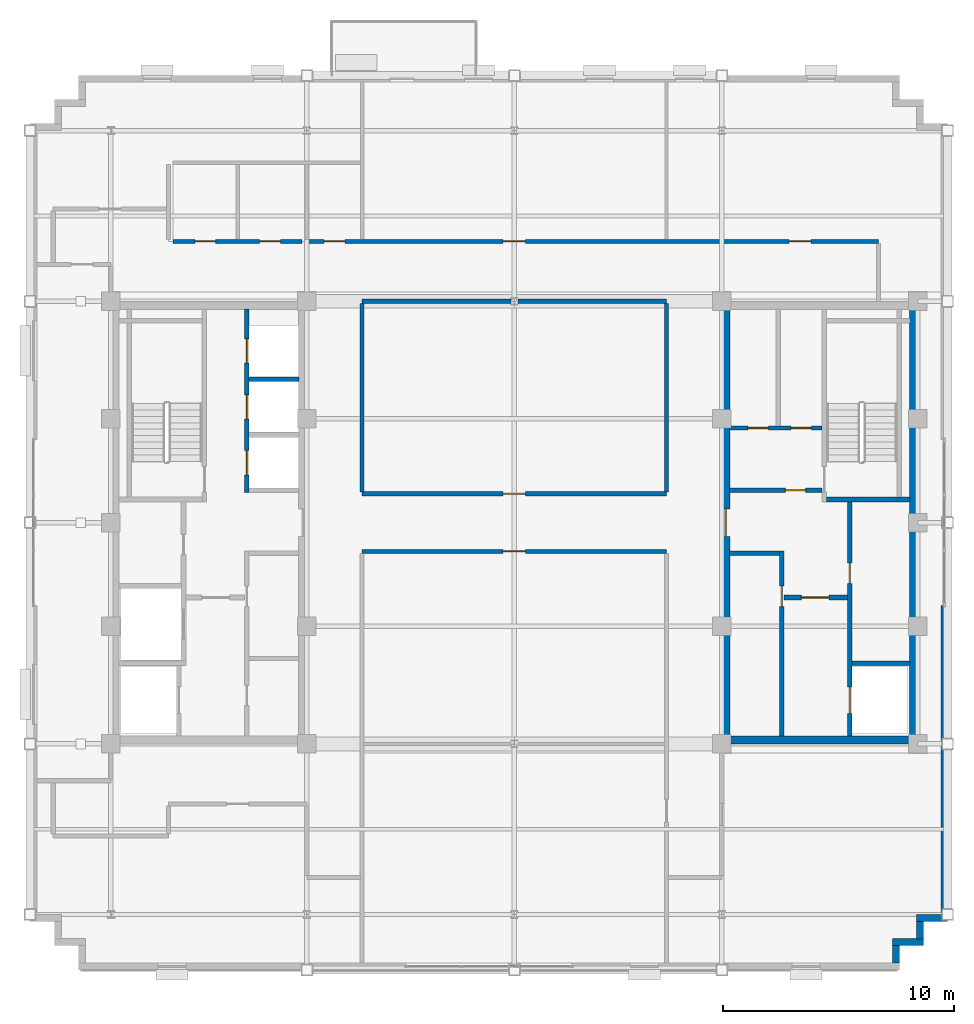
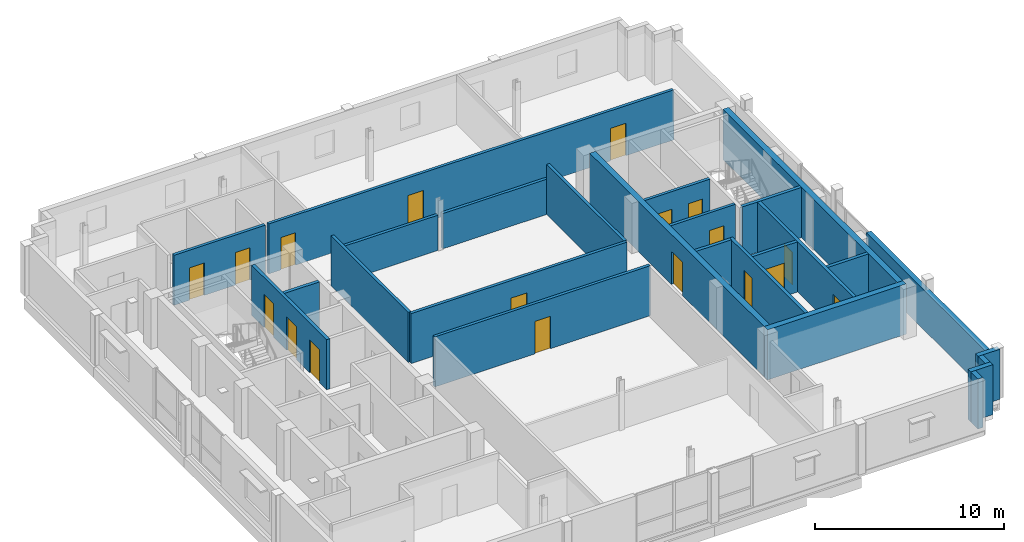
# One storey, part 7 of 15: 26 walls, 18 doors, 18 openings.
"""IFC4 building model written with IfcOpenShell, lengths in metres."""

import ifcopenshell
import ifcopenshell.guid

model = None  # the IFC model being written
_history = None  # IfcOwnerHistory: only IFC2X3 demands one
_inside = {}  # id of a spatial element -> (the spatial element, [elements in it])
_under = {}  # id of a project, library or spatial element -> (it, [spatial elements below it])
_declared = {}  # id of a project -> (the project, [libraries it declares])
_typed = {}  # id of a type object -> (the type object, [elements of that type])
_made_of = {}  # id of a material, layer set ... -> (it, [elements and type objects made of it])


def new_model(schema):
    """Start an empty IFC model of exactly this schema.

    Asked for "IFC4X3", IfcOpenShell would pick the latest addendum, in which some entities
    have other attributes; the version numbers below select the first issue.
    IFC2X3 requires an IfcOwnerHistory on every rooted entity: one is made here for all.
    """
    global model, _history
    if schema == "IFC4X3":
        model = ifcopenshell.file(schema_version=(4, 3, 0, 0))
    else:
        model = ifcopenshell.file(schema=schema)
    _inside.clear()
    _under.clear()
    _declared.clear()
    _typed.clear()
    _made_of.clear()
    _history = None
    if model.schema == "IFC2X3":
        org = make("IfcOrganization", Name="unknown")
        user = make(
            "IfcPersonAndOrganization",
            ThePerson=make("IfcPerson", FamilyName="unknown"),
            TheOrganization=org,
        )
        app = make(
            "IfcApplication",
            ApplicationDeveloper=org,
            Version="unknown",
            ApplicationFullName="unknown",
            ApplicationIdentifier="unknown",
        )
        _history = make(
            "IfcOwnerHistory",
            OwningUser=user,
            OwningApplication=app,
            ChangeAction="ADDED",
            CreationDate=0,
        )
    return model


def make(cls, **values):
    """One entity of the class cls with the attributes given. An attribute that is None is left unset."""
    return model.create_entity(
        cls, **{name: value for name, value in values.items() if value is not None}
    )


def rooted(cls, **values):
    """An entity with a GlobalId (a new one), such as an element, a storey or a relation."""
    return make(cls, GlobalId=ifcopenshell.guid.new(), OwnerHistory=_history, **values)


def si_unit(unit_type, name, prefix=None):
    """IfcSIUnit, for example si_unit("LENGTHUNIT", "METRE", prefix="MILLI")."""
    return make("IfcSIUnit", UnitType=unit_type, Prefix=prefix, Name=name)


def assignment(units):
    """IfcUnitAssignment: the units of a project."""
    return None if units is None else make("IfcUnitAssignment", Units=units)


def point(xyz):
    """IfcCartesianPoint."""
    return None if xyz is None else make("IfcCartesianPoint", Coordinates=xyz)


def direction(xyz):
    """IfcDirection."""
    return None if xyz is None else make("IfcDirection", DirectionRatios=xyz)


def frame(location, z_axis=None, x_axis=None):
    """IfcAxis2Placement3D, a coordinate frame: its origin and axes. An axis left out is left unset."""
    return make(
        "IfcAxis2Placement3D",
        Location=point(location),
        Axis=direction(z_axis),
        RefDirection=direction(x_axis),
    )


def frame_2d(location, x_axis=None):
    """IfcAxis2Placement2D, a coordinate frame in the plane: its origin and x axis."""
    return make(
        "IfcAxis2Placement2D", Location=point(location), RefDirection=direction(x_axis)
    )


def origin():
    """The frame at (0, 0, 0) with its axes left unset."""
    return frame((0.0, 0.0, 0.0))


def place(relative_to, where):
    """IfcLocalPlacement: puts the frame where relative to a parent placement (None: the world)."""
    return make(
        "IfcLocalPlacement", PlacementRelTo=relative_to, RelativePlacement=where
    )


def context(
    kind, dimensions, precision=None, world=None, true_north=None, identifier=None
):
    """IfcGeometricRepresentationContext, for example the 3D "Model" context."""
    return make(
        "IfcGeometricRepresentationContext",
        ContextIdentifier=identifier,
        ContextType=kind,
        CoordinateSpaceDimension=dimensions,
        Precision=precision,
        WorldCoordinateSystem=world,
        TrueNorth=true_north,
    )


def subcontext(parent, identifier, kind, view, scale=None):
    """IfcGeometricRepresentationSubContext, for example "Body" below "Model"."""
    return make(
        "IfcGeometricRepresentationSubContext",
        ContextIdentifier=identifier,
        ContextType=kind,
        ParentContext=parent,
        TargetScale=scale,
        TargetView=view,
    )


def project(units=None, contexts=None):
    """IfcProject with its units and contexts."""
    return rooted(
        "IfcProject",
        Name="project",
        RepresentationContexts=contexts,
        UnitsInContext=assignment(units),
    )


def spatial(cls, under=None, at=None, **own):
    """A site, building, storey or space (cls), placed at a placement, below another one or the project."""
    s = rooted(cls, ObjectPlacement=at, **own)
    if under is not None:
        _under.setdefault(under.id(), (under, []))[1].append(s)
    return s


def profile(cls, at=None, kind="AREA", **sizes):
    """A parametric profile (cls). Its sizes go by their IFC names, for example OverallWidth=200.0."""
    return make(cls, ProfileType=kind, Position=at, **sizes)


def rectangle(**sizes):
    """IfcRectangleProfileDef."""
    return profile("IfcRectangleProfileDef", **sizes)


def extrude(swept, where, along, depth):
    """IfcExtrudedAreaSolid: the profile swept, set in the frame where, extruded along a direction by depth."""
    return make(
        "IfcExtrudedAreaSolid",
        SweptArea=swept,
        Position=where,
        ExtrudedDirection=direction(along),
        Depth=depth,
    )


def shape(context_of_items, identifier, shape_type, items):
    """IfcShapeRepresentation: the items that make up one representation, for example the "Body"."""
    return make(
        "IfcShapeRepresentation",
        ContextOfItems=context_of_items,
        RepresentationIdentifier=identifier,
        RepresentationType=shape_type,
        Items=items,
    )


def source(mapping_origin, context_of_items, identifier, shape_type, items):
    """IfcRepresentationMap: a shape defined once, which mapped items show again and again."""
    return make(
        "IfcRepresentationMap",
        MappingOrigin=mapping_origin,
        MappedRepresentation=shape(context_of_items, identifier, shape_type, items),
    )


def transform(
    local_origin,
    x_axis=None,
    y_axis=None,
    z_axis=None,
    scale=None,
    scale2=None,
    scale3=None,
    uniform=True,
):
    """IfcCartesianTransformationOperator3D, or its non-uniform kind. x_axis, y_axis, z_axis: its Axis1, 2, 3."""
    if uniform:
        return make(
            "IfcCartesianTransformationOperator3D",
            Axis1=direction(x_axis),
            Axis2=direction(y_axis),
            LocalOrigin=point(local_origin),
            Scale=scale,
            Axis3=direction(z_axis),
        )
    return make(
        "IfcCartesianTransformationOperator3DnonUniform",
        Axis1=direction(x_axis),
        Axis2=direction(y_axis),
        LocalOrigin=point(local_origin),
        Scale=scale,
        Axis3=direction(z_axis),
        Scale2=scale2,
        Scale3=scale3,
    )


def mapped(mapping_source, mapping_target):
    """IfcMappedItem: shows the shape of a source again, moved by a transform."""
    return make(
        "IfcMappedItem", MappingSource=mapping_source, MappingTarget=mapping_target
    )


def material(Name=None, Category=None):
    """IfcMaterial."""
    return make("IfcMaterial", Name=Name, Category=Category)


def layer(
    of_material, thickness, ventilated=None, Name=None, Category=None, Priority=None
):
    """IfcMaterialLayer: one layer of a wall or slab, of a material (None: an air gap)."""
    return make(
        "IfcMaterialLayer",
        Material=of_material,
        LayerThickness=thickness,
        IsVentilated=ventilated,
        Name=Name,
        Category=Category,
        Priority=Priority,
    )


def layer_set(layers, Name=None):
    """IfcMaterialLayerSet."""
    return make("IfcMaterialLayerSet", MaterialLayers=layers, LayerSetName=Name)


def made_of(thing, what):
    """Note that an element or type object is made of a material, layer set ...; save() writes the relation."""
    if what is not None:
        _made_of.setdefault(what.id(), (what, []))[1].append(thing)
    return thing


def type_object(cls, material=None, **own):
    """A type object (cls), such as IfcWallType, which elements share."""
    return made_of(rooted(cls, **own), material)


def type_shapes(of_type, sources):
    """Give a type object the sources (RepresentationMaps) that its elements show as mapped items."""
    of_type.RepresentationMaps = sources


def element(
    cls,
    number,
    at=None,
    inside=None,
    cuts=None,
    type_object=None,
    material=None,
    context=None,
    identifier="Body",
    shape_type=None,
    held_by="IfcProductDefinitionShape",
    body=None,
    shapes=None,
    **own,
):
    """One element of the class cls, such as IfcWall. Its Tag is "e" and its number.

    at: its placement. inside: the storey or other place that contains it. cuts: it is an
    opening in that element (IfcRelVoidsElement). A single representation is given by context,
    identifier, shape_type and body (its items); several are given by shapes. held_by: the class
    of the entity that holds the representations. save() writes the other relations.
    """
    e = rooted(cls, Tag="e%d" % number, ObjectPlacement=at, **own)
    if body is not None:
        shapes = [shape(context, identifier, shape_type, body)]
    if shapes is not None:
        e.Representation = make(held_by, Representations=shapes)
    if inside is not None:
        _inside.setdefault(inside.id(), (inside, []))[1].append(e)
    if cuts is not None:
        rooted(
            "IfcRelVoidsElement", RelatingBuildingElement=cuts, RelatedOpeningElement=e
        )
    if type_object is not None:
        _typed.setdefault(type_object.id(), (type_object, []))[1].append(e)
    return made_of(e, material)


def fill(opening, filler):
    """IfcRelFillsElement: the door or window that sits in an opening."""
    return rooted(
        "IfcRelFillsElement",
        RelatingOpeningElement=opening,
        RelatedBuildingElement=filler,
    )


def aggregate(whole, parts):
    """IfcRelAggregates: a whole, such as a stair, and the parts it consists of."""
    return rooted("IfcRelAggregates", RelatingObject=whole, RelatedObjects=parts)


def save(model, path):
    """Write the relations noted so far, then the file.

    IfcRelAggregates (storeys below a building ...), IfcRelContainedInSpatialStructure (elements
    in a storey), IfcRelDefinesByType, IfcRelAssociatesMaterial and IfcRelDeclares: one each for
    every whole, place, type object, material and project.
    """
    for whole, parts in _under.values():
        aggregate(whole, parts)
    for where, things in _inside.values():
        rooted(
            "IfcRelContainedInSpatialStructure",
            RelatedElements=things,
            RelatingStructure=where,
        )
    for kind, things in _typed.values():
        rooted("IfcRelDefinesByType", RelatedObjects=things, RelatingType=kind)
    for what, things in _made_of.values():
        rooted("IfcRelAssociatesMaterial", RelatedObjects=things, RelatingMaterial=what)
    for by, libraries in _declared.values():
        rooted("IfcRelDeclares", RelatingContext=by, RelatedDefinitions=libraries)
    model.write(path)


model = new_model("IFC4")

# Units and contexts
model_context = context("Model", 3, precision=1e-05, world=origin(), true_north=direction((0.0, 1.0)))
body_context = subcontext(model_context, "Body", "Model", "MODEL_VIEW")
ifc_project = project(units=[si_unit("LENGTHUNIT", "METRE"), si_unit("AREAUNIT", "SQUARE_METRE"), si_unit("VOLUMEUNIT", "CUBIC_METRE"), si_unit("PLANEANGLEUNIT", "RADIAN"), si_unit("MASSUNIT", "GRAM", prefix="KILO")], contexts=[model_context])

# Site, building, storey
site_placement = place(None, origin())
site = spatial("IfcSite", under=ifc_project, at=site_placement, CompositionType="ELEMENT")
building_placement = place(site_placement, origin())
building = spatial("IfcBuilding", under=site, at=building_placement, Name="Nuvemarco Arch Tower", CompositionType="ELEMENT")
storey_placement = place(building_placement, frame((0.0, 0.0, 283.5)))
storey = spatial("IfcBuildingStorey", under=building, at=storey_placement, Name="L75", CompositionType="ELEMENT", Elevation=283.5)

# Walls
ifc_material_1 = material(Name="Precast concrete C45/55", Category="concrete")
ifc_layer_1 = layer(ifc_material_1, 0.300048828125, Name="EW-HIGH-300")
ifc_layer_set_1 = layer_set([ifc_layer_1], Name="Precast concrete C45/55")
wall_type_1 = type_object("IfcWallType", Name="EW-HIGH-300", PredefinedType="STANDARD", material=ifc_layer_set_1)
wall_1_placement = place(storey_placement, frame((16.550048828125, -19.10400390625, 0.0), z_axis=(0.0, 0.0, 1.0), x_axis=(0.0, 1.0, 0.0)))
element("IfcWall", 1, at=wall_1_placement, inside=storey, type_object=wall_type_1, Name="L75 exterior precast facade wall 2", PredefinedType="STANDARD", context=body_context, shape_type="SweptSolid", body=[
    extrude(rectangle(XDim=0.758056640625, YDim=0.300048828125, at=frame_2d((0.37890625, 0.0))), origin(), (0.0, 0.0, 1.0), 3.239990234375),
])
wall_2_placement = place(storey_placement, frame((16.39990234375, -18.199951171875, 0.0), z_axis=(0.0, 0.0, 1.0), x_axis=(1.0, 0.0, 0.0)))
element("IfcWall", 2, at=wall_2_placement, inside=storey, type_object=wall_type_1, Name="L75 exterior precast facade wall 3", PredefinedType="STANDARD", context=body_context, shape_type="SweptSolid", body=[
    extrude(rectangle(XDim=1.35009765625, YDim=0.300048828125, at=frame_2d((0.675048828125, 0.0))), origin(), (0.0, 0.0, 1.0), 3.239990234375),
])
wall_3_placement = place(storey_placement, frame((17.60009765625, -18.053955078125, 0.0), z_axis=(0.0, 0.0, 1.0), x_axis=(0.0, 1.0, 0.0)))
element("IfcWall", 3, at=wall_3_placement, inside=storey, type_object=wall_type_1, Name="L75 exterior precast facade wall 4", PredefinedType="STANDARD", context=body_context, shape_type="SweptSolid", body=[
    extrude(rectangle(XDim=0.758056640625, YDim=0.300048828125, at=frame_2d((0.37890625, 0.0))), origin(), (0.0, 0.0, 1.0), 3.239990234375),
])
wall_4_placement = place(storey_placement, frame((17.449951171875, -17.14990234375, 0.0), z_axis=(0.0, 0.0, 1.0), x_axis=(1.0, 0.0, 0.0)))
element("IfcWall", 4, at=wall_4_placement, inside=storey, type_object=wall_type_1, Name="L75 exterior precast facade wall 5", PredefinedType="STANDARD", context=body_context, shape_type="SweptSolid", body=[
    extrude(rectangle(XDim=1.35009765625, YDim=0.300048828125, at=frame_2d((0.675048828125, 0.0))), origin(), (0.0, 0.0, 1.0), 3.239990234375),
])
wall_5_placement = place(storey_placement, frame((18.64990234375, -17.00390625, 0.0), z_axis=(0.0, 0.0, 1.0), x_axis=(0.0, 1.0, 0.0)))
element("IfcWall", 5, at=wall_5_placement, inside=storey, type_object=wall_type_1, Name="L75 exterior precast pier wall east left", PredefinedType="STANDARD", context=body_context, shape_type="SweptSolid", body=[
    extrude(rectangle(XDim=13.40380859375, YDim=0.300048828125, at=frame_2d((6.701904296875, 0.0))), origin(), (0.0, 0.0, 1.0), 2.5849609375),
])
ifc_material_2 = material(Name="Concrete C50/60", Category="concrete")
ifc_layer_2 = layer(ifc_material_2, 0.35009765625, Name="WL-CORE-350")
ifc_layer_set_2 = layer_set([ifc_layer_2], Name="Concrete C50/60")
wall_type_2 = type_object("IfcWallType", Name="WL-CORE-350", PredefinedType="SHEAR", material=ifc_layer_set_2)
wall_6_placement = place(storey_placement, frame((9.0, -9.425048828125, 0.0), z_axis=(0.0, 0.0, 1.0), x_axis=(1.0, 0.0, 0.0)))
element("IfcWall", 6, at=wall_6_placement, inside=storey, type_object=wall_type_2, Name="L75 E-core shear wall S", PredefinedType="SHEAR", context=body_context, shape_type="SweptSolid", body=[
    extrude(rectangle(XDim=8.5, YDim=0.35009765625, at=frame_2d((4.25, 0.0))), origin(), (0.0, 0.0, 1.0), 3.25),
])

# Wall, opening, door
wall_7_placement = place(storey_placement, frame((9.175048828125, -9.2548828125, 0.0), z_axis=(0.0, 0.0, 1.0), x_axis=(0.0, 1.0, 0.0)))
wall_7 = element("IfcWall", 7, at=wall_7_placement, inside=storey, type_object=wall_type_2, Name="L75 E-core shear wall W", PredefinedType="SHEAR", context=body_context, shape_type="SweptSolid", body=[
    extrude(rectangle(XDim=18.509765625, YDim=0.35009765625, at=frame_2d((9.2548828125, 0.0))), origin(), (0.0, 0.0, 1.0), 3.25),
])
opening_1_placement = place(wall_7_placement, frame((8.655029296875, 0.0, 0.0)))
opening_1 = element("IfcOpeningElement", 8, at=opening_1_placement, cuts=wall_7, Name="Opening FD-2", PredefinedType="OPENING", context=body_context, shape_type="SweptSolid", body=[
    extrude(rectangle(XDim=1.199951171875, YDim=2.14990234375, at=frame_2d((0.60009765625, 1.074951171875))), frame((0.0, 0.18505859375, 0.0), z_axis=(0.0, -1.0, 0.0), x_axis=(1.0, 0.0, 0.0)), (0.0, 0.0, 1.0), 0.3701171875),
])
ifc_material_3 = material(Name="Anodised steel fire door", Category="steel")
door_type_1 = type_object("IfcDoorType", Name="DR-FFLOB-FD", OperationType="NOTDEFINED", PredefinedType="DOOR", material=ifc_material_3)
shared_shape_1 = source(origin(), body_context, "Body", "SweptSolid", [
    extrude(rectangle(XDim=1.199951171875, YDim=2.14990234375, at=frame_2d((0.60009765625, 1.074951171875))), frame((0.0, 0.02490234375, 0.0), z_axis=(0.0, -1.0, 0.0), x_axis=(1.0, 0.0, 0.0)), (0.0, 0.0, 1.0), 0.050048828125),
])
type_shapes(door_type_1, [shared_shape_1])
door_1_placement = place(opening_1_placement, origin())
door_1 = element("IfcDoor", 9, at=door_1_placement, inside=storey, type_object=door_type_1, Name="L75 door FD-L75-ECORE-W", OperationType="SINGLE_SWING_LEFT", OverallHeight=2.14990234375, OverallWidth=1.199951171875, PredefinedType="DOOR", context=body_context, shape_type="MappedRepresentation", body=[
    mapped(shared_shape_1, transform((0.0, 0.0, 0.0), scale=1.0)),
])
fill(opening_1, door_1)

# Wall
wall_8_placement = place(storey_placement, frame((17.324951171875, -9.2548828125, 0.0), z_axis=(0.0, 0.0, 1.0), x_axis=(0.0, 1.0, 0.0)))
element("IfcWall", 10, at=wall_8_placement, inside=storey, type_object=wall_type_2, Name="L75 E-core shear wall E", PredefinedType="SHEAR", context=body_context, shape_type="SweptSolid", body=[
    extrude(rectangle(XDim=18.509765625, YDim=0.35009765625, at=frame_2d((9.2548828125, 0.0))), origin(), (0.0, 0.0, 1.0), 3.25),
])

# Wall, opening, door
ifc_material_4 = material(Name="Fire-rated gypsum drywall partition")
ifc_layer_3 = layer(ifc_material_4, 0.179931640625, Name="WL-CORR-180")
ifc_layer_set_3 = layer_set([ifc_layer_3], Name="Fire-rated gypsum drywall partition")
wall_type_3 = type_object("IfcWallType", Name="WL-CORR-180", PredefinedType="PARTITIONING", material=ifc_layer_set_3)
wall_9_placement = place(storey_placement, frame((9.344970703125, 1.39990234375, 0.0), z_axis=(0.0, 0.0, 1.0), x_axis=(1.0, 0.0, 0.0)))
wall_9 = element("IfcWall", 11, at=wall_9_placement, inside=storey, type_object=wall_type_3, Name="L75 interior wall IW-L75-EK-S", PredefinedType="PARTITIONING", context=body_context, shape_type="SweptSolid", body=[
    extrude(rectangle(XDim=4.0, YDim=0.179931640625, at=frame_2d((2.0, 0.0))), origin(), (0.0, 0.0, 1.0), 3.239990234375),
])
opening_2_placement = place(wall_9_placement, frame((2.4150390625, 0.0, 0.0)))
opening_2 = element("IfcOpeningElement", 12, at=opening_2_placement, cuts=wall_9, Name="Opening FD-4", PredefinedType="OPENING", context=body_context, shape_type="SweptSolid", body=[
    extrude(rectangle(XDim=0.8798828125, YDim=2.10009765625, at=frame_2d((0.43994140625, 1.050048828125))), frame((0.0, 0.099853515625, 0.0), z_axis=(0.0, -1.0, 0.0), x_axis=(1.0, 0.0, 0.0)), (0.0, 0.0, 1.0), 0.199951171875),
])
door_type_2 = type_object("IfcDoorType", Name="DR-RISER-FD", OperationType="NOTDEFINED", PredefinedType="DOOR", material=ifc_material_3)
shared_shape_2 = source(origin(), body_context, "Body", "SweptSolid", [
    extrude(rectangle(XDim=0.8798828125, YDim=2.10009765625, at=frame_2d((0.43994140625, 1.050048828125))), frame((0.0, 0.02490234375, 0.0), z_axis=(0.0, -1.0, 0.0), x_axis=(1.0, 0.0, 0.0)), (0.0, 0.0, 1.0), 0.050048828125),
])
type_shapes(door_type_2, [shared_shape_2])
door_2_placement = place(opening_2_placement, origin())
door_2 = element("IfcDoor", 13, at=door_2_placement, inside=storey, type_object=door_type_2, Name="L75 door FD-L75-EK3A", OperationType="SINGLE_SWING_RIGHT", OverallHeight=2.10009765625, OverallWidth=0.8798828125, PredefinedType="DOOR", context=body_context, shape_type="MappedRepresentation", body=[
    mapped(shared_shape_2, transform((0.0, 0.0, 0.0), scale=1.0)),
])
fill(opening_2, door_2)

# Wall, openings, doors
wall_10_placement = place(storey_placement, frame((9.344970703125, 4.10009765625, 0.0), z_axis=(0.0, 0.0, 1.0), x_axis=(1.0, 0.0, 0.0)))
wall_10 = element("IfcWall", 14, at=wall_10_placement, inside=storey, type_object=wall_type_3, Name="L75 interior wall IW-L75-EK3H", PredefinedType="PARTITIONING", context=body_context, shape_type="SweptSolid", body=[
    extrude(rectangle(XDim=4.0, YDim=0.179931640625, at=frame_2d((2.0, 0.0))), origin(), (0.0, 0.0, 1.0), 3.239990234375),
])
opening_3_placement = place(wall_10_placement, frame((0.800048828125, 0.0, 0.0)))
opening_3 = element("IfcOpeningElement", 15, at=opening_3_placement, cuts=wall_10, Name="Opening FD-4", PredefinedType="OPENING", context=body_context, shape_type="SweptSolid", body=[
    extrude(rectangle(XDim=0.8798828125, YDim=2.10009765625, at=frame_2d((0.43994140625, 1.050048828125))), frame((0.0, 0.099853515625, 0.0), z_axis=(0.0, -1.0, 0.0), x_axis=(1.0, 0.0, 0.0)), (0.0, 0.0, 1.0), 0.199951171875),
])
opening_4_placement = place(wall_10_placement, frame((2.6650390625, 0.0, 0.0)))
opening_4 = element("IfcOpeningElement", 16, at=opening_4_placement, cuts=wall_10, Name="Opening FD-4", PredefinedType="OPENING", context=body_context, shape_type="SweptSolid", body=[
    extrude(rectangle(XDim=0.8798828125, YDim=2.10009765625, at=frame_2d((0.43994140625, 1.050048828125))), frame((0.0, 0.099853515625, 0.0), z_axis=(0.0, -1.0, 0.0), x_axis=(1.0, 0.0, 0.0)), (0.0, 0.0, 1.0), 0.199951171875),
])
door_3_placement = place(opening_3_placement, origin())
door_3 = element("IfcDoor", 17, at=door_3_placement, inside=storey, type_object=door_type_2, Name="L75 door FD-L75-EK3B", OperationType="SINGLE_SWING_LEFT", OverallHeight=2.10009765625, OverallWidth=0.8798828125, PredefinedType="DOOR", context=body_context, shape_type="MappedRepresentation", body=[
    mapped(shared_shape_2, transform((0.0, 0.0, 0.0), scale=1.0)),
])
fill(opening_3, door_3)
door_4_placement = place(opening_4_placement, origin())
door_4 = element("IfcDoor", 18, at=door_4_placement, inside=storey, type_object=door_type_2, Name="L75 door FD-L75-EK3C", OperationType="SINGLE_SWING_RIGHT", OverallHeight=2.10009765625, OverallWidth=0.8798828125, PredefinedType="DOOR", context=body_context, shape_type="MappedRepresentation", body=[
    mapped(shared_shape_2, transform((0.0, 0.0, 0.0), scale=1.0)),
])
fill(opening_4, door_4)

# Wall, opening, door
wall_11_placement = place(storey_placement, frame((-6.60009765625, -1.25, 0.0), z_axis=(0.0, 0.0, 1.0), x_axis=(1.0, 0.0, 0.0)))
wall_11 = element("IfcWall", 19, at=wall_11_placement, inside=storey, type_object=wall_type_3, Name="L75 interior wall IW-L75-008", PredefinedType="PARTITIONING", context=body_context, shape_type="SweptSolid", body=[
    extrude(rectangle(XDim=13.2001953125, YDim=0.179931640625, at=frame_2d((6.60009765625, 0.0))), origin(), (0.0, 0.0, 1.0), 3.239990234375),
])
opening_5_placement = place(wall_11_placement, frame((6.1201171875, 0.0, 0.0)))
opening_5 = element("IfcOpeningElement", 20, at=opening_5_placement, cuts=wall_11, Name="Opening FD-5", PredefinedType="OPENING", context=body_context, shape_type="SweptSolid", body=[
    extrude(rectangle(XDim=0.9599609375, YDim=2.10009765625, at=frame_2d((0.47998046875, 1.050048828125))), frame((0.0, 0.099853515625, 0.0), z_axis=(0.0, -1.0, 0.0), x_axis=(1.0, 0.0, 0.0)), (0.0, 0.0, 1.0), 0.199951171875),
])
ifc_material_5 = material(Name="Timber fire door", Category="wood")
door_type_3 = type_object("IfcDoorType", Name="DR-CORR-FD", OperationType="NOTDEFINED", PredefinedType="DOOR", material=ifc_material_5)
shared_shape_3 = source(origin(), body_context, "Body", "SweptSolid", [
    extrude(rectangle(XDim=0.9599609375, YDim=2.10009765625, at=frame_2d((0.47998046875, 1.050048828125))), frame((0.0, 0.02490234375, 0.0), z_axis=(0.0, -1.0, 0.0), x_axis=(1.0, 0.0, 0.0)), (0.0, 0.0, 1.0), 0.050048828125),
])
type_shapes(door_type_3, [shared_shape_3])
door_5_placement = place(opening_5_placement, origin())
door_5 = element("IfcDoor", 21, at=door_5_placement, inside=storey, type_object=door_type_3, Name="L75 door DR-L75-OBS_OFF", OperationType="SINGLE_SWING_LEFT", OverallHeight=2.10009765625, OverallWidth=0.9599609375, PredefinedType="DOOR", context=body_context, shape_type="MappedRepresentation", body=[
    mapped(shared_shape_3, transform((0.0, 0.0, 0.0), scale=1.0)),
])
fill(opening_5, door_5)

wall_12_placement = place(storey_placement, frame((-6.60009765625, 1.25, 0.0), z_axis=(0.0, 0.0, 1.0), x_axis=(1.0, 0.0, 0.0)))
wall_12 = element("IfcWall", 22, at=wall_12_placement, inside=storey, type_object=wall_type_3, Name="L75 interior wall IW-L75-009", PredefinedType="PARTITIONING", context=body_context, shape_type="SweptSolid", body=[
    extrude(rectangle(XDim=13.2001953125, YDim=0.179931640625, at=frame_2d((6.60009765625, 0.0))), origin(), (0.0, 0.0, 1.0), 3.239990234375),
])
opening_6_placement = place(wall_12_placement, frame((6.1201171875, 0.0, 0.0)))
opening_6 = element("IfcOpeningElement", 23, at=opening_6_placement, cuts=wall_12, Name="Opening FD-5", PredefinedType="OPENING", context=body_context, shape_type="SweptSolid", body=[
    extrude(rectangle(XDim=0.9599609375, YDim=2.10009765625, at=frame_2d((0.47998046875, 1.050048828125))), frame((0.0, 0.099853515625, 0.0), z_axis=(0.0, -1.0, 0.0), x_axis=(1.0, 0.0, 0.0)), (0.0, 0.0, 1.0), 0.199951171875),
])
door_6_placement = place(opening_6_placement, origin())
door_6 = element("IfcDoor", 24, at=door_6_placement, inside=storey, type_object=door_type_3, Name="L75 door DR-L75-OBS_PANTRY", OperationType="SINGLE_SWING_RIGHT", OverallHeight=2.10009765625, OverallWidth=0.9599609375, PredefinedType="DOOR", context=body_context, shape_type="MappedRepresentation", body=[
    mapped(shared_shape_3, transform((0.0, 0.0, 0.0), scale=1.0)),
])
fill(opening_6, door_6)

# Walls
for number, where, z_axis, x_axis, name in (
    (25, (-6.60009765625, 9.60009765625, 0.0), (0.0, 0.0, 1.0), (1.0, 0.0, 0.0), "L75 interior wall IW-L75-010"),
    (26, (0.15087890625, 9.60009765625, 0.0), (0.0, 0.0, 1.0), (1.0, 0.0, 0.0), "L75 interior wall IW-L75-011"),
):
    element("IfcWall", number, at=place(storey_placement, frame(where, z_axis=z_axis, x_axis=x_axis)), inside=storey, type_object=wall_type_3, Name=name, PredefinedType="PARTITIONING", context=body_context, shape_type="SweptSolid", body=[
        extrude(rectangle(XDim=6.44921875, YDim=0.179931640625, at=frame_2d((3.224609375, 0.0))), origin(), (0.0, 0.0, 1.0), 2.284912109375),
    ])

# Wall, openings, doors
wall_13_placement = place(storey_placement, frame((-14.800048828125, 12.199951171875, 0.0), z_axis=(0.0, 0.0, 1.0), x_axis=(1.0, 0.0, 0.0)))
wall_13 = element("IfcWall", 27, at=wall_13_placement, inside=storey, type_object=wall_type_3, Name="L75 interior wall IW-L75-013", PredefinedType="PARTITIONING", context=body_context, shape_type="SweptSolid", body=[
    extrude(rectangle(XDim=5.60009765625, YDim=0.179931640625, at=frame_2d((2.800048828125, 0.0))), origin(), (0.0, 0.0, 1.0), 3.239990234375),
])
opening_7_placement = place(wall_13_placement, frame((0.949951171875, 0.0, 0.0)))
opening_7 = element("IfcOpeningElement", 28, at=opening_7_placement, cuts=wall_13, Name="Opening ID-3", PredefinedType="OPENING", context=body_context, shape_type="SweptSolid", body=[
    extrude(rectangle(XDim=0.89990234375, YDim=2.10009765625, at=frame_2d((0.449951171875, 1.050048828125))), frame((0.0, 0.099853515625, 0.0), z_axis=(0.0, -1.0, 0.0), x_axis=(1.0, 0.0, 0.0)), (0.0, 0.0, 1.0), 0.199951171875),
])
opening_8_placement = place(wall_13_placement, frame((3.75, 0.0, 0.0)))
opening_8 = element("IfcOpeningElement", 29, at=opening_8_placement, cuts=wall_13, Name="Opening ID-3", PredefinedType="OPENING", context=body_context, shape_type="SweptSolid", body=[
    extrude(rectangle(XDim=0.89990234375, YDim=2.10009765625, at=frame_2d((0.449951171875, 1.050048828125))), frame((0.0, 0.099853515625, 0.0), z_axis=(0.0, -1.0, 0.0), x_axis=(1.0, 0.0, 0.0)), (0.0, 0.0, 1.0), 0.199951171875),
])
ifc_material_6 = material(Name="Veneered oak timber fire door", Category="wood")
door_type_4 = type_object("IfcDoorType", Name="DR-WC-ACC", OperationType="NOTDEFINED", PredefinedType="DOOR", material=ifc_material_6)
shared_shape_4 = source(origin(), body_context, "Body", "SweptSolid", [
    extrude(rectangle(XDim=0.89990234375, YDim=2.10009765625, at=frame_2d((0.449951171875, 1.050048828125))), frame((0.0, 0.02490234375, 0.0), z_axis=(0.0, -1.0, 0.0), x_axis=(1.0, 0.0, 0.0)), (0.0, 0.0, 1.0), 0.050048828125),
])
type_shapes(door_type_4, [shared_shape_4])
door_7_placement = place(opening_7_placement, origin())
door_7 = element("IfcDoor", 30, at=door_7_placement, inside=storey, type_object=door_type_4, Name="L75 door DR-L75-WC_M", OperationType="SINGLE_SWING_LEFT", OverallHeight=2.10009765625, OverallWidth=0.89990234375, PredefinedType="DOOR", context=body_context, shape_type="MappedRepresentation", body=[
    mapped(shared_shape_4, transform((0.0, 0.0, 0.0), scale=1.0)),
])
fill(opening_7, door_7)
door_8_placement = place(opening_8_placement, origin())
door_8 = element("IfcDoor", 31, at=door_8_placement, inside=storey, type_object=door_type_4, Name="L75 door DR-L75-WC_F", OperationType="SINGLE_SWING_RIGHT", OverallHeight=2.10009765625, OverallWidth=0.89990234375, PredefinedType="DOOR", context=body_context, shape_type="MappedRepresentation", body=[
    mapped(shared_shape_4, transform((0.0, 0.0, 0.0), scale=1.0)),
])
fill(opening_8, door_8)

wall_14_placement = place(storey_placement, frame((-9.0, 12.199951171875, 0.0), z_axis=(0.0, 0.0, 1.0), x_axis=(1.0, 0.0, 0.0)))
wall_14 = element("IfcWall", 32, at=wall_14_placement, inside=storey, type_object=wall_type_3, Name="L75 interior wall IW-L75-014", PredefinedType="PARTITIONING", context=body_context, shape_type="SweptSolid", body=[
    extrude(rectangle(XDim=24.800048828125, YDim=0.179931640625, at=frame_2d((12.39990234375, 0.0))), origin(), (0.0, 0.0, 1.0), 3.239990234375),
])
opening_9_placement = place(wall_14_placement, frame((8.52001953125, 0.0, 0.0)))
opening_9 = element("IfcOpeningElement", 33, at=opening_9_placement, cuts=wall_14, Name="Opening FD-5", PredefinedType="OPENING", context=body_context, shape_type="SweptSolid", body=[
    extrude(rectangle(XDim=0.9599609375, YDim=2.10009765625, at=frame_2d((0.47998046875, 1.050048828125))), frame((0.0, 0.099853515625, 0.0), z_axis=(0.0, -1.0, 0.0), x_axis=(1.0, 0.0, 0.0)), (0.0, 0.0, 1.0), 0.199951171875),
])
opening_10_placement = place(wall_14_placement, frame((20.919921875, 0.0, 0.0)))
opening_10 = element("IfcOpeningElement", 34, at=opening_10_placement, cuts=wall_14, Name="Opening FD-5", PredefinedType="OPENING", context=body_context, shape_type="SweptSolid", body=[
    extrude(rectangle(XDim=0.9599609375, YDim=2.10009765625, at=frame_2d((0.47998046875, 1.050048828125))), frame((0.0, 0.099853515625, 0.0), z_axis=(0.0, -1.0, 0.0), x_axis=(1.0, 0.0, 0.0)), (0.0, 0.0, 1.0), 0.199951171875),
])
opening_11_placement = place(wall_14_placement, frame((0.75, 0.0, 0.0)))
opening_11 = element("IfcOpeningElement", 35, at=opening_11_placement, cuts=wall_14, Name="Opening ID-3", PredefinedType="OPENING", context=body_context, shape_type="SweptSolid", body=[
    extrude(rectangle(XDim=0.89990234375, YDim=2.10009765625, at=frame_2d((0.449951171875, 1.050048828125))), frame((0.0, 0.099853515625, 0.0), z_axis=(0.0, -1.0, 0.0), x_axis=(1.0, 0.0, 0.0)), (0.0, 0.0, 1.0), 0.199951171875),
])
door_9_placement = place(opening_9_placement, origin())
door_9 = element("IfcDoor", 36, at=door_9_placement, inside=storey, type_object=door_type_3, Name="L75 door DR-L75-OBS_NC", OperationType="SINGLE_SWING_LEFT", OverallHeight=2.10009765625, OverallWidth=0.9599609375, PredefinedType="DOOR", context=body_context, shape_type="MappedRepresentation", body=[
    mapped(shared_shape_3, transform((0.0, 0.0, 0.0), scale=1.0)),
])
fill(opening_9, door_9)
door_10_placement = place(opening_10_placement, origin())
door_10 = element("IfcDoor", 37, at=door_10_placement, inside=storey, type_object=door_type_3, Name="L75 door DR-L75-OBS_NE", OperationType="SINGLE_SWING_RIGHT", OverallHeight=2.10009765625, OverallWidth=0.9599609375, PredefinedType="DOOR", context=body_context, shape_type="MappedRepresentation", body=[
    mapped(shared_shape_3, transform((0.0, 0.0, 0.0), scale=1.0)),
])
fill(opening_10, door_10)
door_11_placement = place(opening_11_placement, origin())
door_11 = element("IfcDoor", 38, at=door_11_placement, inside=storey, type_object=door_type_4, Name="L75 door DR-L75-WC_ACC", OperationType="SINGLE_SWING_RIGHT", OverallHeight=2.10009765625, OverallWidth=0.89990234375, PredefinedType="DOOR", context=body_context, shape_type="MappedRepresentation", body=[
    mapped(shared_shape_4, transform((0.0, 0.0, 0.0), scale=1.0)),
])
fill(opening_11, door_11)

# Walls
for number, where, z_axis, x_axis, name in (
    (39, (-6.60009765625, 1.3359375, 0.0), (0.0, 0.0, 1.0), (0.0, 1.0, 0.0), "L75 interior wall IW-L75-027"),
    (40, (6.60009765625, 1.3359375, 0.0), (0.0, 0.0, 1.0), (0.0, 1.0, 0.0), "L75 interior wall IW-L75-030"),
):
    element("IfcWall", number, at=place(storey_placement, frame(where, z_axis=z_axis, x_axis=x_axis)), inside=storey, type_object=wall_type_3, Name=name, PredefinedType="PARTITIONING", context=body_context, shape_type="SweptSolid", body=[
        extrude(rectangle(XDim=8.177978515625, YDim=0.179931640625, at=frame_2d((4.0888671875, 0.0))), origin(), (0.0, 0.0, 1.0), 3.239990234375),
    ])

# Wall, openings, doors
ifc_layer_4 = layer(ifc_material_2, 0.199951171875, Name="WL-SHAFT-220")
ifc_layer_set_4 = layer_set([ifc_layer_4], Name="Concrete C50/60")
wall_type_4 = type_object("IfcWallType", Name="WL-SHAFT-220", PredefinedType="SHEAR", material=ifc_layer_set_4)
wall_15_placement = place(storey_placement, frame((-11.60009765625, 1.300048828125, 0.0), z_axis=(0.0, 0.0, 1.0), x_axis=(0.0, 1.0, 0.0)))
wall_15 = element("IfcWall", 41, at=wall_15_placement, inside=storey, type_object=wall_type_4, Name="L75 structural shaft wall SW-L75-W-PHW", PredefinedType="SHEAR", context=body_context, shape_type="SweptSolid", body=[
    extrude(rectangle(XDim=7.954833984375, YDim=0.199951171875, at=frame_2d((3.9775390625, 0.0))), origin(), (0.0, 0.0, 1.0), 3.25),
])
opening_12_placement = place(wall_15_placement, frame((0.77490234375, 0.0, 0.0)))
opening_12 = element("IfcOpeningElement", 42, at=opening_12_placement, cuts=wall_15, Name="Opening LD-1", PredefinedType="OPENING", context=body_context, shape_type="SweptSolid", body=[
    extrude(rectangle(XDim=1.050048828125, YDim=2.14990234375, at=frame_2d((0.52490234375, 1.074951171875))), frame((0.0, 0.10986328125, 0.0), z_axis=(0.0, -1.0, 0.0), x_axis=(1.0, 0.0, 0.0)), (0.0, 0.0, 1.0), 0.219970703125),
])
opening_13_placement = place(wall_15_placement, frame((3.195068359375, 0.0, 0.0)))
opening_13 = element("IfcOpeningElement", 43, at=opening_13_placement, cuts=wall_15, Name="Opening LD-1", PredefinedType="OPENING", context=body_context, shape_type="SweptSolid", body=[
    extrude(rectangle(XDim=1.050048828125, YDim=2.14990234375, at=frame_2d((0.52490234375, 1.074951171875))), frame((0.0, 0.10986328125, 0.0), z_axis=(0.0, -1.0, 0.0), x_axis=(1.0, 0.0, 0.0)), (0.0, 0.0, 1.0), 0.219970703125),
])
opening_14_placement = place(wall_15_placement, frame((5.614990234375, 0.0, 0.0)))
opening_14 = element("IfcOpeningElement", 44, at=opening_14_placement, cuts=wall_15, Name="Opening LD-1", PredefinedType="OPENING", context=body_context, shape_type="SweptSolid", body=[
    extrude(rectangle(XDim=1.050048828125, YDim=2.14990234375, at=frame_2d((0.52490234375, 1.074951171875))), frame((0.0, 0.10986328125, 0.0), z_axis=(0.0, -1.0, 0.0), x_axis=(1.0, 0.0, 0.0)), (0.0, 0.0, 1.0), 0.219970703125),
])
ifc_material_7 = material(Name="Stainless steel lift door", Category="steel")
door_type_5 = type_object("IfcDoorType", Name="DR-LIFT-PASS", OperationType="DOUBLE_DOOR_SLIDING", PredefinedType="DOOR", material=ifc_material_7)
shared_shape_5 = source(origin(), body_context, "Body", "SweptSolid", [
    extrude(rectangle(XDim=1.050048828125, YDim=2.14990234375, at=frame_2d((0.52490234375, 1.074951171875))), frame((0.0, 0.02490234375, 0.0), z_axis=(0.0, -1.0, 0.0), x_axis=(1.0, 0.0, 0.0)), (0.0, 0.0, 1.0), 0.050048828125),
])
type_shapes(door_type_5, [shared_shape_5])
door_12_placement = place(opening_12_placement, origin())
door_12 = element("IfcDoor", 45, at=door_12_placement, inside=storey, type_object=door_type_5, Name="L75 Lift landing sliding door PH-1", OperationType="DOUBLE_DOOR_SLIDING", OverallHeight=2.14990234375, OverallWidth=1.050048828125, PredefinedType="DOOR", context=body_context, shape_type="MappedRepresentation", body=[
    mapped(shared_shape_5, transform((0.0, 0.0, 0.0), scale=1.0)),
])
fill(opening_12, door_12)
door_13_placement = place(opening_13_placement, origin())
door_13 = element("IfcDoor", 46, at=door_13_placement, inside=storey, type_object=door_type_5, Name="L75 Lift landing sliding door PH-2", OperationType="DOUBLE_DOOR_SLIDING", OverallHeight=2.14990234375, OverallWidth=1.050048828125, PredefinedType="DOOR", context=body_context, shape_type="MappedRepresentation", body=[
    mapped(shared_shape_5, transform((0.0, 0.0, 0.0), scale=1.0)),
])
fill(opening_13, door_13)
door_14_placement = place(opening_14_placement, origin())
door_14 = element("IfcDoor", 47, at=door_14_placement, inside=storey, type_object=door_type_5, Name="L75 Lift landing sliding door PH-3", OperationType="DOUBLE_DOOR_SLIDING", OverallHeight=2.14990234375, OverallWidth=1.050048828125, PredefinedType="DOOR", context=body_context, shape_type="MappedRepresentation", body=[
    mapped(shared_shape_5, transform((0.0, 0.0, 0.0), scale=1.0)),
])
fill(opening_14, door_14)

# Walls
wall_16_placement = place(storey_placement, frame((-11.5048828125, 6.219970703125, 0.0), z_axis=(0.0, 0.0, 1.0), x_axis=(1.0, 0.0, 0.0)))
element("IfcWall", 48, at=wall_16_placement, inside=storey, type_object=wall_type_4, Name="L75 structural shaft wall SW-L75-W-PHD3", PredefinedType="SHEAR", context=body_context, shape_type="SweptSolid", body=[
    extrude(rectangle(XDim=2.159912109375, YDim=0.199951171875, at=frame_2d((1.080078125, 0.0))), origin(), (0.0, 0.0, 1.0), 3.25),
])
wall_17_placement = place(storey_placement, frame((13.534912109375, 1.0, 0.0), z_axis=(0.0, 0.0, 1.0), x_axis=(1.0, 0.0, 0.0)))
element("IfcWall", 49, at=wall_17_placement, inside=storey, type_object=wall_type_4, Name="L75 structural shaft wall SW-L75-E-ST2S", PredefinedType="SHEAR", context=body_context, shape_type="SweptSolid", body=[
    extrude(rectangle(XDim=3.6201171875, YDim=0.199951171875, at=frame_2d((1.81005859375, 0.0))), origin(), (0.0, 0.0, 1.0), 3.25),
])

# Wall, openings, doors
wall_18_placement = place(storey_placement, frame((14.550048828125, -9.2548828125, 0.0), z_axis=(0.0, 0.0, 1.0), x_axis=(0.0, 1.0, 0.0)))
wall_18 = element("IfcWall", 50, at=wall_18_placement, inside=storey, type_object=wall_type_4, Name="L75 structural shaft wall SW-L75-E-SHW", PredefinedType="SHEAR", context=body_context, shape_type="SweptSolid", body=[
    extrude(rectangle(XDim=10.159912109375, YDim=0.199951171875, at=frame_2d((5.080078125, 0.0))), origin(), (0.0, 0.0, 1.0), 3.25),
])
opening_15_placement = place(wall_18_placement, frame((6.614990234375, 0.0, 0.0)))
opening_15 = element("IfcOpeningElement", 51, at=opening_15_placement, cuts=wall_18, Name="Opening FD-4", PredefinedType="OPENING", context=body_context, shape_type="SweptSolid", body=[
    extrude(rectangle(XDim=0.8798828125, YDim=2.10009765625, at=frame_2d((0.43994140625, 1.050048828125))), frame((0.0, 0.10986328125, 0.0), z_axis=(0.0, -1.0, 0.0), x_axis=(1.0, 0.0, 0.0)), (0.0, 0.0, 1.0), 0.219970703125),
])
opening_16_placement = place(wall_18_placement, frame((0.97998046875, 0.0, 0.0)))
opening_16 = element("IfcOpeningElement", 52, at=opening_16_placement, cuts=wall_18, Name="Opening LD-2", PredefinedType="OPENING", context=body_context, shape_type="SweptSolid", body=[
    extrude(rectangle(XDim=1.14990234375, YDim=2.14990234375, at=frame_2d((0.574951171875, 1.074951171875))), frame((0.0, 0.10986328125, 0.0), z_axis=(0.0, -1.0, 0.0), x_axis=(1.0, 0.0, 0.0)), (0.0, 0.0, 1.0), 0.219970703125),
])
door_15_placement = place(opening_15_placement, origin())
door_15 = element("IfcDoor", 53, at=door_15_placement, inside=storey, type_object=door_type_2, Name="L75 door FD-L75-ERIS", OperationType="SINGLE_SWING_RIGHT", OverallHeight=2.10009765625, OverallWidth=0.8798828125, PredefinedType="DOOR", context=body_context, shape_type="MappedRepresentation", body=[
    mapped(shared_shape_2, transform((0.0, 0.0, 0.0), scale=1.0)),
])
fill(opening_15, door_15)
door_type_6 = type_object("IfcDoorType", Name="DR-LIFT-FIRE", OperationType="DOUBLE_DOOR_SLIDING", PredefinedType="DOOR", material=ifc_material_7)
shared_shape_6 = source(origin(), body_context, "Body", "SweptSolid", [
    extrude(rectangle(XDim=1.14990234375, YDim=2.14990234375, at=frame_2d((0.574951171875, 1.074951171875))), frame((0.0, 0.02490234375, 0.0), z_axis=(0.0, -1.0, 0.0), x_axis=(1.0, 0.0, 0.0)), (0.0, 0.0, 1.0), 0.050048828125),
])
type_shapes(door_type_6, [shared_shape_6])
door_16_placement = place(opening_16_placement, origin())
door_16 = element("IfcDoor", 54, at=door_16_placement, inside=storey, type_object=door_type_6, Name="L75 Lift landing sliding door FFL-2", OperationType="DOUBLE_DOOR_SLIDING", OverallHeight=2.14990234375, OverallWidth=1.14990234375, PredefinedType="DOOR", context=body_context, shape_type="MappedRepresentation", body=[
    mapped(shared_shape_6, transform((0.0, 0.0, 0.0), scale=1.0)),
])
fill(opening_16, door_16)

# Wall
wall_19_placement = place(storey_placement, frame((14.64501953125, -6.10009765625, 0.0), z_axis=(0.0, 0.0, 1.0), x_axis=(1.0, 0.0, 0.0)))
element("IfcWall", 55, at=wall_19_placement, inside=storey, type_object=wall_type_4, Name="L75 structural shaft wall SW-L75-E-SH1", PredefinedType="SHEAR", context=body_context, shape_type="SweptSolid", body=[
    extrude(rectangle(XDim=2.510009765625, YDim=0.199951171875, at=frame_2d((1.2548828125, 0.0))), origin(), (0.0, 0.0, 1.0), 3.25),
])

# Wall, opening, door
wall_20_placement = place(storey_placement, frame((11.60009765625, -9.2548828125, 0.0), z_axis=(0.0, 0.0, 1.0), x_axis=(0.0, 1.0, 0.0)))
wall_20 = element("IfcWall", 56, at=wall_20_placement, inside=storey, type_object=wall_type_4, Name="L75 structural shaft wall SW-L75-E-PME", PredefinedType="SHEAR", context=body_context, shape_type="SweptSolid", body=[
    extrude(rectangle(XDim=8.02490234375, YDim=0.199951171875, at=frame_2d((4.012451171875, 0.0))), origin(), (0.0, 0.0, 1.0), 3.25),
])
opening_17_placement = place(wall_20_placement, frame((5.614990234375, 0.0, 0.0)))
opening_17 = element("IfcOpeningElement", 57, at=opening_17_placement, cuts=wall_20, Name="Opening FD-4", PredefinedType="OPENING", context=body_context, shape_type="SweptSolid", body=[
    extrude(rectangle(XDim=0.8798828125, YDim=2.10009765625, at=frame_2d((0.43994140625, 1.050048828125))), frame((0.0, 0.10986328125, 0.0), z_axis=(0.0, -1.0, 0.0), x_axis=(1.0, 0.0, 0.0)), (0.0, 0.0, 1.0), 0.219970703125),
])
door_17_placement = place(opening_17_placement, origin())
door_17 = element("IfcDoor", 58, at=door_17_placement, inside=storey, type_object=door_type_2, Name="L75 door FD-L75-ERECPM", OperationType="SINGLE_SWING_LEFT", OverallHeight=2.10009765625, OverallWidth=0.8798828125, PredefinedType="DOOR", context=body_context, shape_type="MappedRepresentation", body=[
    mapped(shared_shape_2, transform((0.0, 0.0, 0.0), scale=1.0)),
])
fill(opening_17, door_17)

wall_21_placement = place(storey_placement, frame((11.695068359375, -3.25, 0.0), z_axis=(0.0, 0.0, 1.0), x_axis=(1.0, 0.0, 0.0)))
wall_21 = element("IfcWall", 59, at=wall_21_placement, inside=storey, type_object=wall_type_4, Name="L75 structural shaft wall SW-L75-E-FFN", PredefinedType="SHEAR", context=body_context, shape_type="SweptSolid", body=[
    extrude(rectangle(XDim=2.760009765625, YDim=0.199951171875, at=frame_2d((1.3798828125, 0.0))), origin(), (0.0, 0.0, 1.0), 3.25),
])
opening_18_placement = place(wall_21_placement, frame((0.7548828125, 0.0, 0.0)))
opening_18 = element("IfcOpeningElement", 60, at=opening_18_placement, cuts=wall_21, Name="Opening FD-2", PredefinedType="OPENING", context=body_context, shape_type="SweptSolid", body=[
    extrude(rectangle(XDim=1.199951171875, YDim=2.14990234375, at=frame_2d((0.60009765625, 1.074951171875))), frame((0.0, 0.10986328125, 0.0), z_axis=(0.0, -1.0, 0.0), x_axis=(1.0, 0.0, 0.0)), (0.0, 0.0, 1.0), 0.219970703125),
])
door_18_placement = place(opening_18_placement, origin())
door_18 = element("IfcDoor", 61, at=door_18_placement, inside=storey, type_object=door_type_1, Name="L75 door FD-L75-EFF2", OperationType="SINGLE_SWING_RIGHT", OverallHeight=2.14990234375, OverallWidth=1.199951171875, PredefinedType="DOOR", context=body_context, shape_type="MappedRepresentation", body=[
    mapped(shared_shape_1, transform((0.0, 0.0, 0.0), scale=1.0)),
])
fill(opening_18, door_18)

# Wall
wall_22_placement = place(storey_placement, frame((9.344970703125, -1.330078125, 0.0), z_axis=(0.0, 0.0, 1.0), x_axis=(1.0, 0.0, 0.0)))
element("IfcWall", 62, at=wall_22_placement, inside=storey, type_object=wall_type_4, Name="L75 structural shaft wall SW-L75-E-PMTOP", PredefinedType="SHEAR", context=body_context, shape_type="SweptSolid", body=[
    extrude(rectangle(XDim=2.159912109375, YDim=0.199951171875, at=frame_2d((1.080078125, 0.0))), origin(), (0.0, 0.0, 1.0), 3.25),
])

save(model, "model.ifc")
